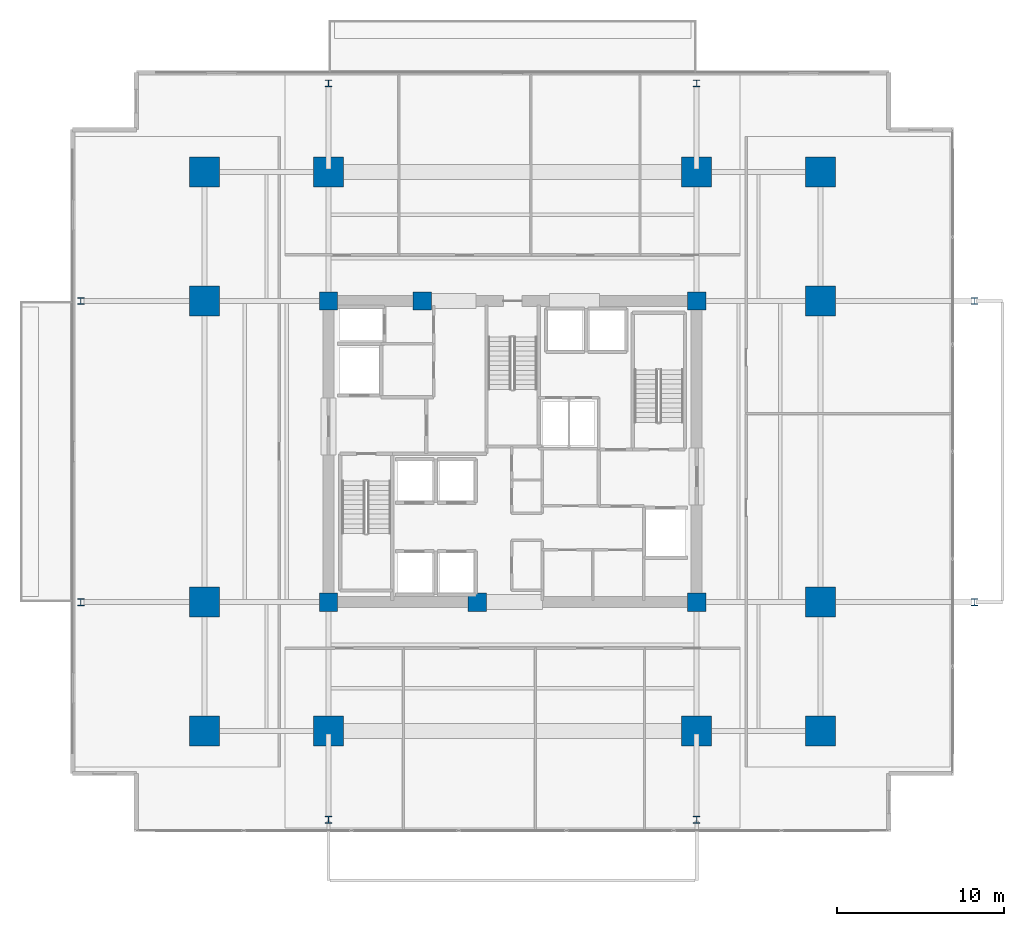
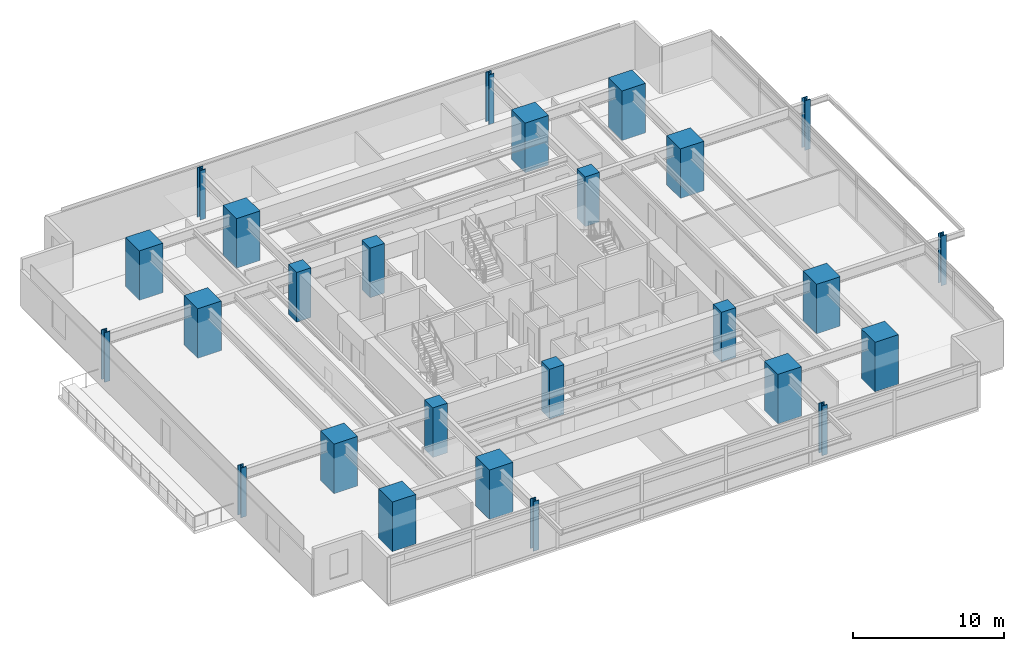
# One storey, part 1 of 19: 26 columns.
"""IFC4 building model written with IfcOpenShell, lengths in metres."""

from ifc_helpers import new_model, si_unit, direction, frame, origin, origin_2d, place, context, subcontext, project, spatial, rectangle, i_section, extrude, material, material_profile, profile_set, type_object, element, save


model = new_model("IFC4")

# Units and contexts
model_context = context("Model", 3, precision=1e-05, world=origin(), true_north=direction((0.0, 1.0)))
body_context = subcontext(model_context, "Body", "Model", "MODEL_VIEW")
ifc_project = project(units=[si_unit("LENGTHUNIT", "METRE"), si_unit("AREAUNIT", "SQUARE_METRE"), si_unit("VOLUMEUNIT", "CUBIC_METRE"), si_unit("PLANEANGLEUNIT", "RADIAN"), si_unit("MASSUNIT", "GRAM", prefix="KILO")], contexts=[model_context])

# Site, building, storey
site_placement = place(None, origin())
site = spatial("IfcSite", under=ifc_project, at=site_placement, CompositionType="ELEMENT")
building_placement = place(site_placement, origin())
building = spatial("IfcBuilding", under=site, at=building_placement, Name="Kovane Verandah Tower", CompositionType="ELEMENT")
storey_placement = place(building_placement, frame((0.0, 0.0, 83.60009765625)))
storey = spatial("IfcBuildingStorey", under=building, at=storey_placement, Name="L19", CompositionType="ELEMENT", Elevation=83.60009765625)

# Columns
ifc_material_1 = material(Name="Concrete C80/95", Category="concrete")
ifc_material_profile_1 = material_profile(ifc_material_1, rectangle(XDim=1.800048828125, YDim=1.800048828125, at=origin_2d()), Name="RC1800x1800")
ifc_profile_set_1 = profile_set([ifc_material_profile_1], Name="Concrete C80/95")
column_type_1 = type_object("IfcColumnType", Name="COL-RC1800", PredefinedType="COLUMN", material=ifc_profile_set_1)
for number, where, z_axis, x_axis, name in (
    (1, (29.0, 10.800048828125, 0.0), (0.0, 0.0, 1.0), (1.0, 0.0, 0.0), "L19 Tower Mega-Column MC-S1"),
    (2, (51.0, 10.800048828125, 0.0), (0.0, 0.0, 1.0), (1.0, 0.0, 0.0), "L19 Tower Mega-Column MC-S2"),
    (3, (29.0, 44.199951171875, 0.0), (0.0, 0.0, 1.0), (1.0, 0.0, 0.0), "L19 Tower Mega-Column MC-N1"),
    (4, (51.0, 44.199951171875, 0.0), (0.0, 0.0, 1.0), (1.0, 0.0, 0.0), "L19 Tower Mega-Column MC-N2"),
    (5, (21.60009765625, 18.5, 0.0), (0.0, 0.0, 1.0), (1.0, 0.0, 0.0), "L19 Tower Mega-Column MC-W1"),
    (6, (21.60009765625, 36.5, 0.0), (0.0, 0.0, 1.0), (1.0, 0.0, 0.0), "L19 Tower Mega-Column MC-W2"),
    (7, (58.39990234375, 18.5, 0.0), (0.0, 0.0, 1.0), (1.0, 0.0, 0.0), "L19 Tower Mega-Column MC-E1"),
    (8, (58.39990234375, 36.5, 0.0), (0.0, 0.0, 1.0), (1.0, 0.0, 0.0), "L19 Tower Mega-Column MC-E2"),
    (9, (21.60009765625, 10.800048828125, 0.0), (0.0, 0.0, 1.0), (1.0, 0.0, 0.0), "L19 Tower Mega-Column MC-SW"),
    (10, (58.39990234375, 10.800048828125, 0.0), (0.0, 0.0, 1.0), (1.0, 0.0, 0.0), "L19 Tower Mega-Column MC-SE"),
    (11, (21.60009765625, 44.199951171875, 0.0), (0.0, 0.0, 1.0), (1.0, 0.0, 0.0), "L19 Tower Mega-Column MC-NW"),
    (12, (58.39990234375, 44.199951171875, 0.0), (0.0, 0.0, 1.0), (1.0, 0.0, 0.0), "L19 Tower Mega-Column MC-NE"),
):
    element("IfcColumn", number, at=place(storey_placement, frame(where, z_axis=z_axis, x_axis=x_axis)), inside=storey, type_object=column_type_1, Name=name, PredefinedType="COLUMN", context=body_context, shape_type="SweptSolid", body=[
        extrude(rectangle(XDim=1.800048828125, YDim=1.800048828125, at=origin_2d()), origin(), (0.0, 0.0, 1.0), 4.0),
    ])
ifc_material_2 = material(Name="Steel S460", Category="steel")
ifc_material_profile_2 = material_profile(ifc_material_2, i_section(OverallWidth=0.412109375, OverallDepth=0.4365234375, WebThickness=0.035888671875, FlangeThickness=0.05810546875, FilletRadius=0.01513671875, at=origin_2d()), Name="UC356x406x467")
ifc_profile_set_2 = profile_set([ifc_material_profile_2], Name="Steel S460")
column_type_2 = type_object("IfcColumnType", Name="COL-UC467", PredefinedType="COLUMN", material=ifc_profile_set_2)
for number, where, z_axis, x_axis, name in (
    (13, (14.199951171875, 18.5, 0.0), (0.0, 0.0, 1.0), (1.0, 0.0, 0.0), "L19 Verandah Perimeter Column VC-W1"),
    (14, (14.199951171875, 36.5, 0.0), (0.0, 0.0, 1.0), (1.0, 0.0, 0.0), "L19 Verandah Perimeter Column VC-W2"),
    (15, (67.60009765625, 18.5, 0.0), (0.0, 0.0, 1.0), (1.0, 0.0, 0.0), "L19 Verandah Perimeter Column VC-E1"),
    (16, (67.60009765625, 36.5, 0.0), (0.0, 0.0, 1.0), (1.0, 0.0, 0.0), "L19 Verandah Perimeter Column VC-E2"),
    (17, (29.0, 5.5, 0.0), (0.0, 0.0, 1.0), (1.0, 0.0, 0.0), "L19 Verandah Perimeter Column VC-S1"),
    (18, (51.0, 5.5, 0.0), (0.0, 0.0, 1.0), (1.0, 0.0, 0.0), "L19 Verandah Perimeter Column VC-S2"),
    (19, (29.0, 49.5, 0.0), (0.0, 0.0, 1.0), (1.0, 0.0, 0.0), "L19 Verandah Perimeter Column VC-N1"),
    (20, (51.0, 49.5, 0.0), (0.0, 0.0, 1.0), (1.0, 0.0, 0.0), "L19 Verandah Perimeter Column VC-N2"),
):
    element("IfcColumn", number, at=place(storey_placement, frame(where, z_axis=z_axis, x_axis=x_axis)), inside=storey, type_object=column_type_2, Name=name, PredefinedType="COLUMN", context=body_context, shape_type="SweptSolid", body=[
        extrude(i_section(OverallWidth=0.412109375, OverallDepth=0.4365234375, WebThickness=0.035888671875, FlangeThickness=0.05810546875, FilletRadius=0.01513671875, at=origin_2d()), origin(), (0.0, 0.0, 1.0), 4.0),
    ])
ifc_material_profile_3 = material_profile(ifc_material_1, rectangle(XDim=1.10009765625, YDim=1.10009765625, at=origin_2d()), Name="RC1100x1100")
ifc_profile_set_3 = profile_set([ifc_material_profile_3], Name="Concrete C80/95")
column_type_3 = type_object("IfcColumnType", Name="PIL-RC1100", PredefinedType="PILASTER", material=ifc_profile_set_3)
for number, where, z_axis, x_axis, name in (
    (21, (29.0, 18.5, 0.0), (0.0, 0.0, 1.0), (1.0, 0.0, 0.0), "L19 Core Pilaster CP-SW"),
    (22, (51.0, 18.5, 0.0), (0.0, 0.0, 1.0), (1.0, 0.0, 0.0), "L19 Core Pilaster CP-SE"),
    (23, (29.0, 36.5, 0.0), (0.0, 0.0, 1.0), (1.0, 0.0, 0.0), "L19 Core Pilaster CP-NW"),
    (24, (51.0, 36.5, 0.0), (0.0, 0.0, 1.0), (1.0, 0.0, 0.0), "L19 Core Pilaster CP-NE"),
    (25, (37.89990234375, 18.5, 0.0), (0.0, 0.0, 1.0), (1.0, 0.0, 0.0), "L19 Core Pilaster CP-S"),
    (26, (34.60009765625, 36.5, 0.0), (0.0, 0.0, 1.0), (1.0, 0.0, 0.0), "L19 Core Pilaster CP-N"),
):
    element("IfcColumn", number, at=place(storey_placement, frame(where, z_axis=z_axis, x_axis=x_axis)), inside=storey, type_object=column_type_3, Name=name, PredefinedType="PILASTER", context=body_context, shape_type="SweptSolid", body=[
        extrude(rectangle(XDim=1.10009765625, YDim=1.10009765625, at=origin_2d()), origin(), (0.0, 0.0, 1.0), 4.0),
    ])

save(model, "model.ifc")
